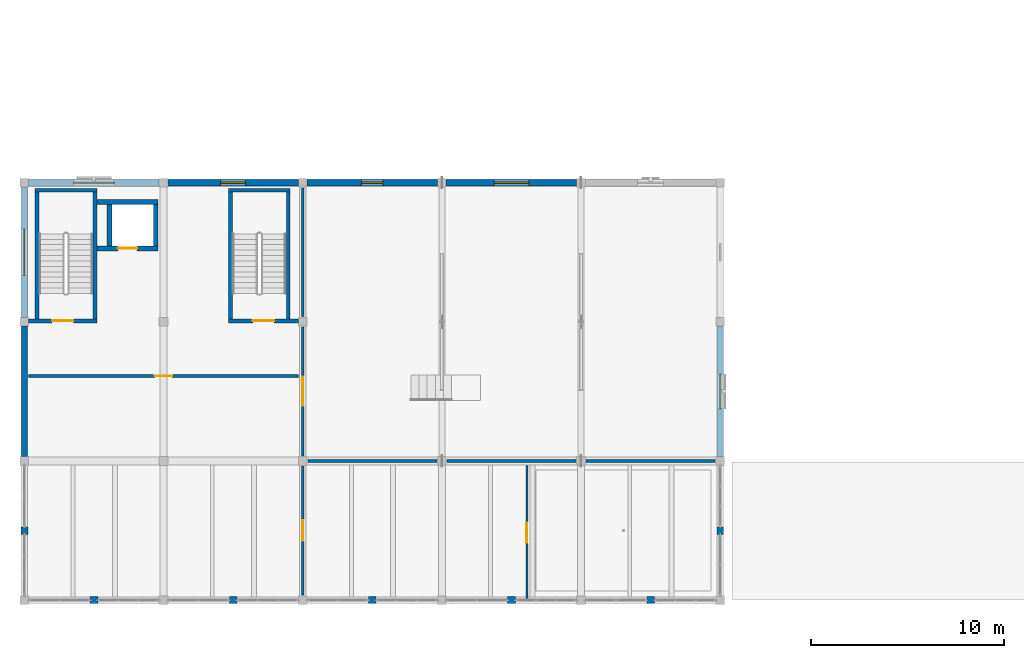
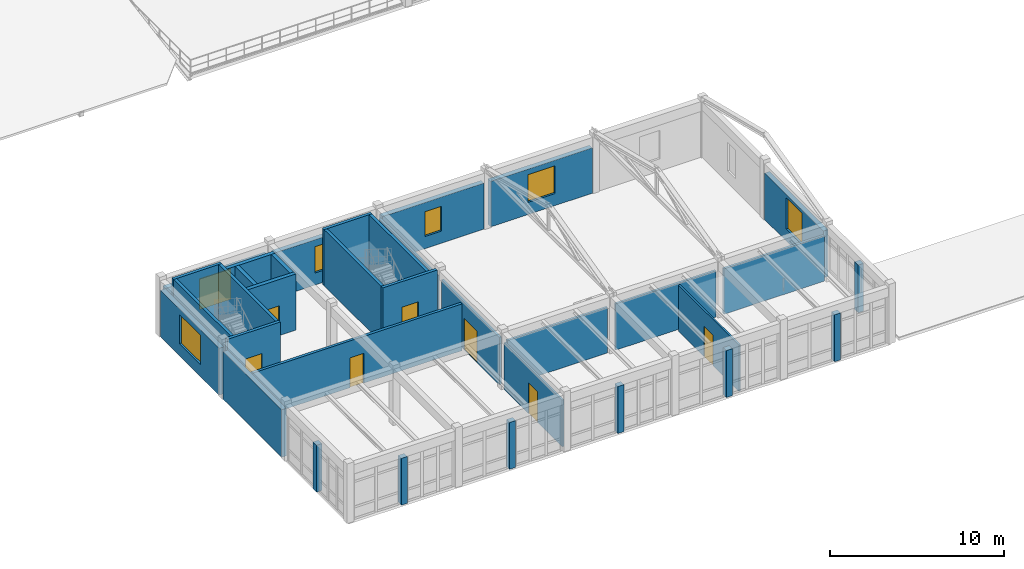
# One storey, part 109 of 136: 34 walls, 7 doors, 6 windows, 13 openings.
"""IFC4 building model written with IfcOpenShell, lengths in metres."""

from ifc_helpers import new_model, si_unit, direction, frame, frame_2d, origin, place, context, subcontext, project, spatial, rectangle, extrude, material, layer, layer_set, type_object, element, fill, save


model = new_model("IFC4")

# Units and contexts
model_context = context("Model", 3, precision=1e-05, world=origin(), true_north=direction((0.0, 1.0)))
body_context = subcontext(model_context, "Body", "Model", "MODEL_VIEW")
ifc_project = project(units=[si_unit("LENGTHUNIT", "METRE"), si_unit("AREAUNIT", "SQUARE_METRE"), si_unit("VOLUMEUNIT", "CUBIC_METRE"), si_unit("PLANEANGLEUNIT", "RADIAN"), si_unit("MASSUNIT", "GRAM", prefix="KILO")], contexts=[model_context])

# Site, building, storey
site_placement = place(None, origin())
site = spatial("IfcSite", under=ifc_project, at=site_placement, CompositionType="ELEMENT")
building_placement = place(site_placement, origin())
building = spatial("IfcBuilding", under=site, at=building_placement, Name="Koriwan Promenade Central Fire Station", CompositionType="ELEMENT")
storey_placement = place(building_placement, frame((0.0, 0.0, 5.39990234375)))
storey = spatial("IfcBuildingStorey", under=building, at=storey_placement, Name="L01", CompositionType="ELEMENT", Elevation=5.39990234375)

# Walls
ifc_material_1 = material(Name="Natural sillar sandstone ashlar", Category="masonry")
ifc_layer_1 = layer(ifc_material_1, 0.360107421875, Name="Natural sillar sandstone ashlar")
ifc_layer_set_1 = layer_set([ifc_layer_1], Name="Natural sillar sandstone ashlar")
wall_type_1 = type_object("IfcWallType", Name="ExtWall_SillarBase_360", PredefinedType="SOLIDWALL", material=ifc_layer_set_1)
wall_1_placement = place(storey_placement, frame((36.0, 3.39990234375, 0.0), z_axis=(0.0, 0.0, 1.0), x_axis=(0.0, 1.0, 0.0)))
element("IfcWall", 1, at=wall_1_placement, inside=storey, type_object=wall_type_1, Name="V3 L01 sillar facade mullion pier 127", PredefinedType="SOLIDWALL", context=body_context, shape_type="SweptSolid", body=[
    extrude(rectangle(XDim=0.400146484375, YDim=0.360107421875, at=frame_2d((0.2001953125, 0.0))), origin(), (0.0, 0.0, 1.0), 3.35009765625),
])
for number, where, z_axis, x_axis, name in (
    (2, (0.0, 3.800048828125, 0.0), (0.0, 0.0, 1.0), (0.0, -1.0, 0.0), "V3 L01 sillar facade mullion pier 137"),
    (3, (3.39990234375, 0.0, 0.0), (0.0, 0.0, 1.0), (1.0, 0.0, 0.0), "V3 L01 sillar facade mullion pier 138"),
):
    element("IfcWall", number, at=place(storey_placement, frame(where, z_axis=z_axis, x_axis=x_axis)), inside=storey, type_object=wall_type_1, Name=name, PredefinedType="SOLIDWALL", context=body_context, shape_type="SweptSolid", body=[
        extrude(rectangle(XDim=0.400146484375, YDim=0.360107421875, at=frame_2d((0.2001953125, 0.0))), origin(), (0.0, 0.0, 1.0), 3.2900390625),
    ])
wall_2_placement = place(storey_placement, frame((10.60009765625, 0.0, 0.0), z_axis=(0.0, 0.0, 1.0), x_axis=(1.0, 0.0, 0.0)))
element("IfcWall", 4, at=wall_2_placement, inside=storey, type_object=wall_type_1, Name="V3 L01 sillar facade mullion pier 139", PredefinedType="SOLIDWALL", context=body_context, shape_type="SweptSolid", body=[
    extrude(rectangle(XDim=0.39990234375, YDim=0.360107421875, at=frame_2d((0.199951171875, 0.0))), origin(), (0.0, 0.0, 1.0), 3.2900390625),
])
for number, where, z_axis, x_axis, name in (
    (5, (17.800048828125, 0.0, 0.0), (0.0, 0.0, 1.0), (1.0, 0.0, 0.0), "V3 L01 sillar facade mullion pier 140"),
    (6, (25.0, 0.0, 0.0), (0.0, 0.0, 1.0), (1.0, 0.0, 0.0), "V3 L01 sillar facade mullion pier 141"),
):
    element("IfcWall", number, at=place(storey_placement, frame(where, z_axis=z_axis, x_axis=x_axis)), inside=storey, type_object=wall_type_1, Name=name, PredefinedType="SOLIDWALL", context=body_context, shape_type="SweptSolid", body=[
        extrude(rectangle(XDim=0.39990234375, YDim=0.360107421875, at=frame_2d((0.199951171875, 0.0))), origin(), (0.0, 0.0, 1.0), 3.300048828125),
    ])
wall_3_placement = place(storey_placement, frame((32.199951171875, 0.0, 0.0), z_axis=(0.0, 0.0, 1.0), x_axis=(1.0, 0.0, 0.0)))
element("IfcWall", 7, at=wall_3_placement, inside=storey, type_object=wall_type_1, Name="V3 L01 sillar facade mullion pier 142", PredefinedType="SOLIDWALL", context=body_context, shape_type="SweptSolid", body=[
    extrude(rectangle(XDim=0.400146484375, YDim=0.360107421875, at=frame_2d((0.2001953125, 0.0))), origin(), (0.0, 0.0, 1.0), 3.300048828125),
])

# Wall, opening, window
ifc_material_2 = material(Name="Precast concrete C40/50", Category="concrete")
ifc_layer_2 = layer(ifc_material_2, 0.320068359375, Name="Precast concrete C40/50")
ifc_layer_set_2 = layer_set([ifc_layer_2], Name="Precast concrete C40/50")
wall_type_2 = type_object("IfcWallType", Name="ExtWall_Terracotta_320", PredefinedType="ELEMENTEDWALL", material=ifc_layer_set_2)
wall_4_placement = place(storey_placement, frame((36.0, 7.425048828125, 0.0), z_axis=(0.0, 0.0, 1.0), x_axis=(0.0, 1.0, 0.0)))
wall_4 = element("IfcWall", 8, at=wall_4_placement, inside=storey, type_object=wall_type_2, Name="V3 L01 exterior wall 128", PredefinedType="ELEMENTEDWALL", context=body_context, shape_type="SweptSolid", body=[
    extrude(rectangle(XDim=6.75, YDim=0.320068359375, at=frame_2d((3.375, 0.0))), origin(), (0.0, 0.0, 1.0), 3.2900390625),
])
opening_1_placement = place(wall_4_placement, frame((2.47509765625, 0.0, 0.85009765625)))
opening_1 = element("IfcOpeningElement", 9, at=opening_1_placement, cuts=wall_4, Name="Opening W-03", PredefinedType="OPENING", context=body_context, shape_type="SweptSolid", body=[
    extrude(rectangle(XDim=1.800048828125, YDim=2.199951171875, at=frame_2d((0.89990234375, 1.10009765625))), frame((0.0, 0.171875, 0.0), z_axis=(0.0, -1.0, 0.0), x_axis=(1.0, 0.0, 0.0)), (0.0, 0.0, 1.0), 0.343994140625),
])
ifc_material_3 = material(Name="Solar-control low-E laminated double glazing", Category="glass")
window_type_1 = type_object("IfcWindowType", Name="Win_Jharokha_1800x2200", PartitioningType="SINGLE_PANEL", PredefinedType="WINDOW", material=ifc_material_3)
window_1_placement = place(opening_1_placement, origin())
window_1 = element("IfcWindow", 10, at=window_1_placement, inside=storey, type_object=window_type_1, Name="V3 L01 window 0052", OverallHeight=2.199951171875, OverallWidth=1.800048828125, PartitioningType="SINGLE_PANEL", PredefinedType="WINDOW", context=body_context, shape_type="SweptSolid", body=[
    extrude(rectangle(XDim=1.800048828125, YDim=2.199951171875, at=frame_2d((0.89990234375, 1.10009765625))), frame((0.0, 0.030029296875, 0.0), z_axis=(0.0, -1.0, 0.0), x_axis=(1.0, 0.0, 0.0)), (0.0, 0.0, 1.0), 0.06005859375),
])
fill(opening_1, window_1)

wall_5_placement = place(storey_placement, frame((28.574951171875, 21.60009765625, 0.0), z_axis=(0.0, 0.0, 1.0), x_axis=(-1.0, 0.0, 0.0)))
wall_5 = element("IfcWall", 11, at=wall_5_placement, inside=storey, type_object=wall_type_2, Name="V3 L01 exterior wall 131", PredefinedType="ELEMENTEDWALL", context=body_context, shape_type="SweptSolid", body=[
    extrude(rectangle(XDim=6.75, YDim=0.320068359375, at=frame_2d((3.375, 0.0))), origin(), (0.0, 0.0, 1.0), 3.190185546875),
])
opening_2_placement = place(wall_5_placement, frame((2.47509765625, 0.0, 0.85009765625)))
opening_2 = element("IfcOpeningElement", 12, at=opening_2_placement, cuts=wall_5, Name="Opening W-06", PredefinedType="OPENING", context=body_context, shape_type="SweptSolid", body=[
    extrude(rectangle(XDim=1.800048828125, YDim=1.949951171875, at=frame_2d((0.89990234375, 0.97509765625))), frame((0.0, 0.171875, 0.0), z_axis=(0.0, -1.0, 0.0), x_axis=(1.0, 0.0, 0.0)), (0.0, 0.0, 1.0), 0.343994140625),
])
window_type_2 = type_object("IfcWindowType", Name="Win_HQ_1800x1950", PartitioningType="SINGLE_PANEL", PredefinedType="WINDOW", material=ifc_material_3)
window_2_placement = place(opening_2_placement, origin())
window_2 = element("IfcWindow", 13, at=window_2_placement, inside=storey, type_object=window_type_2, Name="V3 L01 window 0055", OverallHeight=1.949951171875, OverallWidth=1.800048828125, PartitioningType="SINGLE_PANEL", PredefinedType="WINDOW", context=body_context, shape_type="SweptSolid", body=[
    extrude(rectangle(XDim=1.800048828125, YDim=1.949951171875, at=frame_2d((0.89990234375, 0.97509765625))), frame((0.0, 0.030029296875, 0.0), z_axis=(0.0, -1.0, 0.0), x_axis=(1.0, 0.0, 0.0)), (0.0, 0.0, 1.0), 0.06005859375),
])
fill(opening_2, window_2)

wall_6_placement = place(storey_placement, frame((21.375, 21.60009765625, 0.0), z_axis=(0.0, 0.0, 1.0), x_axis=(-1.0, 0.0, 0.0)))
wall_6 = element("IfcWall", 14, at=wall_6_placement, inside=storey, type_object=wall_type_2, Name="V3 L01 exterior wall 132", PredefinedType="ELEMENTEDWALL", context=body_context, shape_type="SweptSolid", body=[
    extrude(rectangle(XDim=6.75, YDim=0.320068359375, at=frame_2d((3.375, 0.0))), origin(), (0.0, 0.0, 1.0), 3.239990234375),
])
opening_3_placement = place(wall_6_placement, frame((2.824951171875, 0.0, 0.85009765625)))
opening_3 = element("IfcOpeningElement", 15, at=opening_3_placement, cuts=wall_6, Name="Opening W-09", PredefinedType="OPENING", context=body_context, shape_type="SweptSolid", body=[
    extrude(rectangle(XDim=1.10009765625, YDim=1.75, at=frame_2d((0.550048828125, 0.875))), frame((0.0, 0.171875, 0.0), z_axis=(0.0, -1.0, 0.0), x_axis=(1.0, 0.0, 0.0)), (0.0, 0.0, 1.0), 0.343994140625),
])
window_type_3 = type_object("IfcWindowType", Name="Win_Drill_1100x1750", PartitioningType="SINGLE_PANEL", PredefinedType="WINDOW", material=ifc_material_3)
window_3_placement = place(opening_3_placement, origin())
window_3 = element("IfcWindow", 16, at=window_3_placement, inside=storey, type_object=window_type_3, Name="V3 L01 window 0056", OverallHeight=1.75, OverallWidth=1.10009765625, PartitioningType="SINGLE_PANEL", PredefinedType="WINDOW", context=body_context, shape_type="SweptSolid", body=[
    extrude(rectangle(XDim=1.10009765625, YDim=1.75, at=frame_2d((0.550048828125, 0.875))), frame((0.0, 0.030029296875, 0.0), z_axis=(0.0, -1.0, 0.0), x_axis=(1.0, 0.0, 0.0)), (0.0, 0.0, 1.0), 0.06005859375),
])
fill(opening_3, window_3)

wall_7_placement = place(storey_placement, frame((14.175048828125, 21.60009765625, 0.0), z_axis=(0.0, 0.0, 1.0), x_axis=(-1.0, 0.0, 0.0)))
wall_7 = element("IfcWall", 17, at=wall_7_placement, inside=storey, type_object=wall_type_2, Name="V3 L01 exterior wall 133", PredefinedType="ELEMENTEDWALL", context=body_context, shape_type="SweptSolid", body=[
    extrude(rectangle(XDim=6.75, YDim=0.320068359375, at=frame_2d((3.375, 0.0))), origin(), (0.0, 0.0, 1.0), 3.190185546875),
])
opening_4_placement = place(wall_7_placement, frame((2.72509765625, 0.0, 0.85009765625)))
opening_4 = element("IfcOpeningElement", 18, at=opening_4_placement, cuts=wall_7, Name="Opening W-10", PredefinedType="OPENING", context=body_context, shape_type="SweptSolid", body=[
    extrude(rectangle(XDim=1.300048828125, YDim=1.85009765625, at=frame_2d((0.64990234375, 0.925048828125))), frame((0.0, 0.171875, 0.0), z_axis=(0.0, -1.0, 0.0), x_axis=(1.0, 0.0, 0.0)), (0.0, 0.0, 1.0), 0.343994140625),
])
window_type_4 = type_object("IfcWindowType", Name="Win_Drill_1300x1850", PartitioningType="SINGLE_PANEL", PredefinedType="WINDOW", material=ifc_material_3)
window_4_placement = place(opening_4_placement, origin())
window_4 = element("IfcWindow", 19, at=window_4_placement, inside=storey, type_object=window_type_4, Name="V3 L01 window 0057", OverallHeight=1.85009765625, OverallWidth=1.300048828125, PartitioningType="SINGLE_PANEL", PredefinedType="WINDOW", context=body_context, shape_type="SweptSolid", body=[
    extrude(rectangle(XDim=1.300048828125, YDim=1.85009765625, at=frame_2d((0.64990234375, 0.925048828125))), frame((0.0, 0.030029296875, 0.0), z_axis=(0.0, -1.0, 0.0), x_axis=(1.0, 0.0, 0.0)), (0.0, 0.0, 1.0), 0.06005859375),
])
fill(opening_4, window_4)

wall_8_placement = place(storey_placement, frame((6.97509765625, 21.60009765625, 0.0), z_axis=(0.0, 0.0, 1.0), x_axis=(-1.0, 0.0, 0.0)))
wall_8 = element("IfcWall", 20, at=wall_8_placement, inside=storey, type_object=wall_type_2, Name="V3 L01 exterior wall 134", PredefinedType="ELEMENTEDWALL", context=body_context, shape_type="SweptSolid", body=[
    extrude(rectangle(XDim=6.75, YDim=0.320068359375, at=frame_2d((3.375, 0.0))), origin(), (0.0, 0.0, 1.0), 3.239990234375),
])
opening_5_placement = place(wall_8_placement, frame((2.324951171875, 0.0, 0.85009765625)))
opening_5 = element("IfcOpeningElement", 21, at=opening_5_placement, cuts=wall_8, Name="Opening W-11", PredefinedType="OPENING", context=body_context, shape_type="SweptSolid", body=[
    extrude(rectangle(XDim=2.10009765625, YDim=2.14990234375, at=frame_2d((1.050048828125, 1.074951171875))), frame((0.0, 0.171875, 0.0), z_axis=(0.0, -1.0, 0.0), x_axis=(1.0, 0.0, 0.0)), (0.0, 0.0, 1.0), 0.343994140625),
])
window_type_5 = type_object("IfcWindowType", Name="Win_Pavilion_2100x2150", PartitioningType="SINGLE_PANEL", PredefinedType="WINDOW", material=ifc_material_3)
window_5_placement = place(opening_5_placement, origin())
window_5 = element("IfcWindow", 22, at=window_5_placement, inside=storey, type_object=window_type_5, Name="V3 L01 window 0058", OverallHeight=2.14990234375, OverallWidth=2.10009765625, PartitioningType="SINGLE_PANEL", PredefinedType="WINDOW", context=body_context, shape_type="SweptSolid", body=[
    extrude(rectangle(XDim=2.10009765625, YDim=2.14990234375, at=frame_2d((1.050048828125, 1.074951171875))), frame((0.0, 0.030029296875, 0.0), z_axis=(0.0, -1.0, 0.0), x_axis=(1.0, 0.0, 0.0)), (0.0, 0.0, 1.0), 0.06005859375),
])
fill(opening_5, window_5)

wall_9_placement = place(storey_placement, frame((0.0, 21.375, 0.0), z_axis=(0.0, 0.0, 1.0), x_axis=(0.0, -1.0, 0.0)))
wall_9 = element("IfcWall", 23, at=wall_9_placement, inside=storey, type_object=wall_type_2, Name="V3 L01 exterior wall 135", PredefinedType="ELEMENTEDWALL", context=body_context, shape_type="SweptSolid", body=[
    extrude(rectangle(XDim=6.75, YDim=0.320068359375, at=frame_2d((3.375, 0.0))), origin(), (0.0, 0.0, 1.0), 3.2900390625),
])
opening_6_placement = place(wall_9_placement, frame((2.175048828125, 0.0, 0.85009765625)))
opening_6 = element("IfcOpeningElement", 24, at=opening_6_placement, cuts=wall_9, Name="Opening W-12", PredefinedType="OPENING", context=body_context, shape_type="SweptSolid", body=[
    extrude(rectangle(XDim=2.39990234375, YDim=2.050048828125, at=frame_2d((1.199951171875, 1.02490234375))), frame((0.0, 0.171875, 0.0), z_axis=(0.0, -1.0, 0.0), x_axis=(1.0, 0.0, 0.0)), (0.0, 0.0, 1.0), 0.343994140625),
])
window_type_6 = type_object("IfcWindowType", Name="Win_Pavilion_2400x2050", PartitioningType="SINGLE_PANEL", PredefinedType="WINDOW", material=ifc_material_3)
window_6_placement = place(opening_6_placement, origin())
window_6 = element("IfcWindow", 25, at=window_6_placement, inside=storey, type_object=window_type_6, Name="V3 L01 window 0059", OverallHeight=2.050048828125, OverallWidth=2.39990234375, PartitioningType="SINGLE_PANEL", PredefinedType="WINDOW", context=body_context, shape_type="SweptSolid", body=[
    extrude(rectangle(XDim=2.39990234375, YDim=2.050048828125, at=frame_2d((1.199951171875, 1.02490234375))), frame((0.0, 0.030029296875, 0.0), z_axis=(0.0, -1.0, 0.0), x_axis=(1.0, 0.0, 0.0)), (0.0, 0.0, 1.0), 0.06005859375),
])
fill(opening_6, window_6)

# Wall
wall_10_placement = place(storey_placement, frame((0.0, 14.175048828125, 0.0), z_axis=(0.0, 0.0, 1.0), x_axis=(0.0, -1.0, 0.0)))
element("IfcWall", 26, at=wall_10_placement, inside=storey, type_object=wall_type_2, Name="V3 L01 exterior wall 136", PredefinedType="ELEMENTEDWALL", context=body_context, shape_type="SweptSolid", body=[
    extrude(rectangle(XDim=6.75, YDim=0.320068359375, at=frame_2d((3.375, 0.0))), origin(), (0.0, 0.0, 1.0), 3.340087890625),
])

# Wall, opening, door
ifc_material_4 = material(Name="Gypsum board acoustic stud partition", Category="gypsum")
ifc_layer_3 = layer(ifc_material_4, 0.1201171875, Name="Gypsum board acoustic stud partition")
ifc_layer_set_3 = layer_set([ifc_layer_3], Name="Gypsum board acoustic stud partition")
wall_type_3 = type_object("IfcWallType", Name="IntWall_Drywall_120", PredefinedType="PARTITIONING", material=ifc_layer_set_3)
wall_11_placement = place(storey_placement, frame((14.39990234375, 0.264892578125, 0.0), z_axis=(0.0, 0.0, 1.0), x_axis=(0.0, 1.0, 0.0)))
wall_11 = element("IfcWall", 27, at=wall_11_placement, inside=storey, type_object=wall_type_3, Name="Projection and Interpretation Studio partition W", PredefinedType="PARTITIONING", context=body_context, shape_type="SweptSolid", body=[
    extrude(rectangle(XDim=6.670166015625, YDim=0.1201171875, at=frame_2d((3.3349609375, 0.0))), origin(), (0.0, 0.0, 1.0), 3.2880859375),
])
opening_7_placement = place(wall_11_placement, frame((2.81005859375, 0.0, 0.0)))
opening_7 = element("IfcOpeningElement", 28, at=opening_7_placement, cuts=wall_11, Name="Opening D-117", PredefinedType="OPENING", context=body_context, shape_type="SweptSolid", body=[
    extrude(rectangle(XDim=1.050048828125, YDim=2.14990234375, at=frame_2d((0.52490234375, 1.074951171875))), frame((0.0, 0.072021484375, 0.0), z_axis=(0.0, -1.0, 0.0), x_axis=(1.0, 0.0, 0.0)), (0.0, 0.0, 1.0), 0.14404296875),
])
ifc_material_5 = material(Name="Hardwood veneer solid-core timber", Category="wood")
door_type_1 = type_object("IfcDoorType", Name="RoomDoor_Class_1050x2150", OperationType="NOTDEFINED", PredefinedType="DOOR", material=ifc_material_5)
door_1_placement = place(opening_7_placement, origin())
door_1 = element("IfcDoor", 29, at=door_1_placement, inside=storey, type_object=door_type_1, Name="Projection and Interpretation Studio Door D-117", OperationType="SINGLE_SWING_LEFT", OverallHeight=2.14990234375, OverallWidth=1.050048828125, PredefinedType="DOOR", context=body_context, shape_type="SweptSolid", body=[
    extrude(rectangle(XDim=1.050048828125, YDim=2.14990234375, at=frame_2d((0.52490234375, 1.074951171875))), frame((0.0, 0.02490234375, 0.0), z_axis=(0.0, -1.0, 0.0), x_axis=(1.0, 0.0, 0.0)), (0.0, 0.0, 1.0), 0.050048828125),
])
fill(opening_7, door_1)

wall_12_placement = place(storey_placement, frame((26.0, 0.0, 0.0), z_axis=(0.0, 0.0, 1.0), x_axis=(0.0, 1.0, 0.0)))
wall_12 = element("IfcWall", 30, at=wall_12_placement, inside=storey, type_object=wall_type_3, Name="Projection and Interpretation Studio partition E", PredefinedType="PARTITIONING", context=body_context, shape_type="SweptSolid", body=[
    extrude(rectangle(XDim=6.97998046875, YDim=0.1201171875, at=frame_2d((3.489990234375, 0.0))), origin(), (0.0, 0.0, 1.0), 3.248046875),
])
opening_8_placement = place(wall_12_placement, frame((2.965087890625, 0.0, 0.0)))
opening_8 = element("IfcOpeningElement", 31, at=opening_8_placement, cuts=wall_12, Name="Opening D-118", PredefinedType="OPENING", context=body_context, shape_type="SweptSolid", body=[
    extrude(rectangle(XDim=1.050048828125, YDim=2.14990234375, at=frame_2d((0.52490234375, 1.074951171875))), frame((0.0, 0.072021484375, 0.0), z_axis=(0.0, -1.0, 0.0), x_axis=(1.0, 0.0, 0.0)), (0.0, 0.0, 1.0), 0.14404296875),
])
door_2_placement = place(opening_8_placement, origin())
door_2 = element("IfcDoor", 32, at=door_2_placement, inside=storey, type_object=door_type_1, Name="Speaker Briefing and Seminar Room Door D-118", OperationType="SINGLE_SWING_RIGHT", OverallHeight=2.14990234375, OverallWidth=1.050048828125, PredefinedType="DOOR", context=body_context, shape_type="SweptSolid", body=[
    extrude(rectangle(XDim=1.050048828125, YDim=2.14990234375, at=frame_2d((0.52490234375, 1.074951171875))), frame((0.0, 0.02490234375, 0.0), z_axis=(0.0, -1.0, 0.0), x_axis=(1.0, 0.0, 0.0)), (0.0, 0.0, 1.0), 0.050048828125),
])
fill(opening_8, door_2)

ifc_material_6 = material(Name="Clay brick plastered masonry wall", Category="masonry")
ifc_layer_4 = layer(ifc_material_6, 0.14990234375, Name="Clay brick plastered masonry wall")
ifc_layer_set_4 = layer_set([ifc_layer_4], Name="Clay brick plastered masonry wall")
wall_type_4 = type_object("IfcWallType", Name="IntWall_Masonry_150", PredefinedType="STANDARD", material=ifc_layer_set_4)
wall_13_placement = place(storey_placement, frame((14.39990234375, 7.465087890625, 0.0), z_axis=(0.0, 0.0, 1.0), x_axis=(0.0, 1.0, 0.0)))
wall_13 = element("IfcWall", 33, at=wall_13_placement, inside=storey, type_object=wall_type_4, Name="Civic Preparedness Lecture Theatre partition W", PredefinedType="STANDARD", context=body_context, shape_type="SweptSolid", body=[
    extrude(rectangle(XDim=6.669921875, YDim=0.14990234375, at=frame_2d((3.3349609375, 0.0))), origin(), (0.0, 0.0, 1.0), 3.338134765625),
])
opening_9_placement = place(wall_13_placement, frame((2.5849609375, 0.0, 0.0)))
opening_9 = element("IfcOpeningElement", 34, at=opening_9_placement, cuts=wall_13, Name="Opening D-116", PredefinedType="OPENING", context=body_context, shape_type="SweptSolid", body=[
    extrude(rectangle(XDim=1.5, YDim=2.199951171875, at=frame_2d((0.75, 1.10009765625))), frame((0.0, 0.0869140625, 0.0), z_axis=(0.0, -1.0, 0.0), x_axis=(1.0, 0.0, 0.0)), (0.0, 0.0, 1.0), 0.173828125),
])
door_type_2 = type_object("IfcDoorType", Name="RoomDoor_Hall_1500x2200", OperationType="DOUBLE_SWING_LEFT", PredefinedType="DOOR", material=ifc_material_5)
door_3_placement = place(opening_9_placement, origin())
door_3 = element("IfcDoor", 35, at=door_3_placement, inside=storey, type_object=door_type_2, Name="Civic Preparedness Lecture Theatre Door D-116", OperationType="DOUBLE_SWING_LEFT", OverallHeight=2.199951171875, OverallWidth=1.5, PredefinedType="DOOR", context=body_context, shape_type="SweptSolid", body=[
    extrude(rectangle(XDim=1.5, YDim=2.199951171875, at=frame_2d((0.75, 1.10009765625))), frame((0.0, 0.02490234375, 0.0), z_axis=(0.0, -1.0, 0.0), x_axis=(1.0, 0.0, 0.0)), (0.0, 0.0, 1.0), 0.050048828125),
])
fill(opening_9, door_3)

# Walls
wall_14_placement = place(storey_placement, frame((14.39990234375, 14.6650390625, 0.0), z_axis=(0.0, 0.0, 1.0), x_axis=(0.0, 1.0, 0.0)))
element("IfcWall", 36, at=wall_14_placement, inside=storey, type_object=wall_type_4, Name="Civic Preparedness Lecture Theatre partition W", PredefinedType="STANDARD", context=body_context, shape_type="SweptSolid", body=[
    extrude(rectangle(XDim=6.669921875, YDim=0.14990234375, at=frame_2d((3.3349609375, 0.0))), origin(), (0.0, 0.0, 1.0), 3.2880859375),
])
wall_15_placement = place(storey_placement, frame((14.6650390625, 7.199951171875, 0.0), z_axis=(0.0, 0.0, 1.0), x_axis=(1.0, 0.0, 0.0)))
element("IfcWall", 37, at=wall_15_placement, inside=storey, type_object=wall_type_4, Name="Civic Preparedness Lecture Theatre partition S", PredefinedType="STANDARD", context=body_context, shape_type="SweptSolid", body=[
    extrude(rectangle(XDim=6.669921875, YDim=0.14990234375, at=frame_2d((3.3349609375, 0.0))), origin(), (0.0, 0.0, 1.0), 3.197998046875),
])
wall_16_placement = place(storey_placement, frame((21.864990234375, 7.199951171875, 0.0), z_axis=(0.0, 0.0, 1.0), x_axis=(1.0, 0.0, 0.0)))
element("IfcWall", 38, at=wall_16_placement, inside=storey, type_object=wall_type_4, Name="Civic Preparedness Lecture Theatre partition S", PredefinedType="STANDARD", context=body_context, shape_type="SweptSolid", body=[
    extrude(rectangle(XDim=6.669921875, YDim=0.14990234375, at=frame_2d((3.3349609375, 0.0))), origin(), (0.0, 0.0, 1.0), 3.248046875),
])
wall_17_placement = place(storey_placement, frame((29.06494140625, 7.199951171875, 0.0), z_axis=(0.0, 0.0, 1.0), x_axis=(1.0, 0.0, 0.0)))
element("IfcWall", 39, at=wall_17_placement, inside=storey, type_object=wall_type_4, Name="Civic Preparedness Lecture Theatre partition S", PredefinedType="STANDARD", context=body_context, shape_type="SweptSolid", body=[
    extrude(rectangle(XDim=6.670166015625, YDim=0.14990234375, at=frame_2d((3.3349609375, 0.0))), origin(), (0.0, 0.0, 1.0), 3.197998046875),
])

# Wall, opening, door
ifc_material_7 = material(Name="Moisture-resistant sanitary chase wall", Category="gypsum")
ifc_layer_5 = layer(ifc_material_7, 0.179931640625, Name="Moisture-resistant sanitary chase wall")
ifc_layer_set_5 = layer_set([ifc_layer_5], Name="Moisture-resistant sanitary chase wall")
wall_type_5 = type_object("IfcWallType", Name="IntWall_Plumbing_180", PredefinedType="PLUMBINGWALL", material=ifc_layer_set_5)
wall_18_placement = place(storey_placement, frame((0.219970703125, 11.60009765625, 0.0), z_axis=(0.0, 0.0, 1.0), x_axis=(1.0, 0.0, 0.0)))
wall_18 = element("IfcWall", 40, at=wall_18_placement, inside=storey, type_object=wall_type_5, Name="Lecture Concourse Male Female and Accessible WCs partition N", PredefinedType="PLUMBINGWALL", context=body_context, shape_type="SweptSolid", body=[
    extrude(rectangle(XDim=13.9599609375, YDim=0.179931640625, at=frame_2d((6.97998046875, 0.0))), origin(), (0.0, 0.0, 1.0), 3.2880859375),
])
opening_10_placement = place(wall_18_placement, frame((6.530029296875, 0.0, 0.0)))
opening_10 = element("IfcOpeningElement", 41, at=opening_10_placement, cuts=wall_18, Name="Opening D-119", PredefinedType="OPENING", context=body_context, shape_type="SweptSolid", body=[
    extrude(rectangle(XDim=0.89990234375, YDim=2.10009765625, at=frame_2d((0.449951171875, 1.050048828125))), frame((0.0, 0.10205078125, 0.0), z_axis=(0.0, -1.0, 0.0), x_axis=(1.0, 0.0, 0.0)), (0.0, 0.0, 1.0), 0.203857421875),
])
ifc_material_8 = material(Name="High-pressure laminate moisture-resistant core", Category="wood")
door_type_3 = type_object("IfcDoorType", Name="RoomDoor_WC_900x2100", OperationType="NOTDEFINED", PredefinedType="DOOR", material=ifc_material_8)
door_4_placement = place(opening_10_placement, origin())
door_4 = element("IfcDoor", 42, at=door_4_placement, inside=storey, type_object=door_type_3, Name="Lecture Concourse Male Female and Accessible WCs Door D-119", OperationType="SINGLE_SWING_LEFT", OverallHeight=2.10009765625, OverallWidth=0.89990234375, PredefinedType="DOOR", context=body_context, shape_type="SweptSolid", body=[
    extrude(rectangle(XDim=0.89990234375, YDim=2.10009765625, at=frame_2d((0.449951171875, 1.050048828125))), frame((0.0, 0.02490234375, 0.0), z_axis=(0.0, -1.0, 0.0), x_axis=(1.0, 0.0, 0.0)), (0.0, 0.0, 1.0), 0.050048828125),
])
fill(opening_10, door_4)

ifc_material_9 = material(Name="Concrete C40/50", Category="concrete")
ifc_layer_6 = layer(ifc_material_9, 0.199951171875, Name="Concrete C40/50")
ifc_layer_set_6 = layer_set([ifc_layer_6], Name="Concrete C40/50")
wall_type_6 = type_object("IfcWallType", Name="ShearWall_200", PredefinedType="SHEAR", material=ifc_layer_set_6)
wall_19_placement = place(storey_placement, frame((0.22509765625, 14.449951171875, 0.0), z_axis=(0.0, 0.0, 1.0), x_axis=(1.0, 0.0, 0.0)))
wall_19 = element("IfcWall", 43, at=wall_19_placement, inside=storey, type_object=wall_type_6, Name="ST14 L01 structural stair wall S", PredefinedType="SHEAR", context=body_context, shape_type="SweptSolid", body=[
    extrude(rectangle(XDim=3.52490234375, YDim=0.199951171875, at=frame_2d((1.762451171875, 0.0))), origin(), (0.0, 0.0, 1.0), 3.9501953125),
])
opening_11_placement = place(wall_19_placement, frame((1.21240234375, 0.0, 0.0)))
opening_11 = element("IfcOpeningElement", 44, at=opening_11_placement, cuts=wall_19, Name="Opening SD-021", PredefinedType="OPENING", context=body_context, shape_type="SweptSolid", body=[
    extrude(rectangle(XDim=1.10009765625, YDim=2.14990234375, at=frame_2d((0.550048828125, 1.074951171875))), frame((0.0, 0.11181640625, 0.0), z_axis=(0.0, -1.0, 0.0), x_axis=(1.0, 0.0, 0.0)), (0.0, 0.0, 1.0), 0.223876953125),
])
ifc_material_10 = material(Name="Painted galvanized fire-door steel", Category="steel")
door_type_4 = type_object("IfcDoorType", Name="FireDoor_Stair_1100x2150", OperationType="NOTDEFINED", PredefinedType="DOOR", material=ifc_material_10)
door_5_placement = place(opening_11_placement, origin())
door_5 = element("IfcDoor", 45, at=door_5_placement, inside=storey, type_object=door_type_4, Name="Protected Stair ST14 Fire Door SD-021", OperationType="SINGLE_SWING_RIGHT", OverallHeight=2.14990234375, OverallWidth=1.10009765625, PredefinedType="DOOR", context=body_context, shape_type="SweptSolid", body=[
    extrude(rectangle(XDim=1.10009765625, YDim=2.14990234375, at=frame_2d((0.550048828125, 1.074951171875))), frame((0.0, 0.02490234375, 0.0), z_axis=(0.0, -1.0, 0.0), x_axis=(1.0, 0.0, 0.0)), (0.0, 0.0, 1.0), 0.050048828125),
])
fill(opening_11, door_5)

# Walls
wall_20_placement = place(storey_placement, frame((0.56005859375, 21.2099609375, 0.0), z_axis=(0.0, 0.0, 1.0), x_axis=(1.0, 0.0, 0.0)))
element("IfcWall", 46, at=wall_20_placement, inside=storey, type_object=wall_type_6, Name="ST14 L01 structural stair wall N", PredefinedType="SHEAR", context=body_context, shape_type="SweptSolid", body=[
    extrude(rectangle(XDim=3.18994140625, YDim=0.199951171875, at=frame_2d((1.594970703125, 0.0))), origin(), (0.0, 0.0, 1.0), 3.9501953125),
])
for number, where, z_axis, x_axis, name in (
    (47, (0.659912109375, 14.550048828125, 0.0), (0.0, 0.0, 1.0), (0.0, 1.0, 0.0), "ST14 L01 structural stair wall W"),
    (48, (3.64990234375, 14.550048828125, 0.0), (0.0, 0.0, 1.0), (0.0, 1.0, 0.0), "ST14 L01 structural stair wall E"),
):
    element("IfcWall", number, at=place(storey_placement, frame(where, z_axis=z_axis, x_axis=x_axis)), inside=storey, type_object=wall_type_6, Name=name, PredefinedType="SHEAR", context=body_context, shape_type="SweptSolid", body=[
        extrude(rectangle(XDim=6.56005859375, YDim=0.199951171875, at=frame_2d((3.280029296875, 0.0))), origin(), (0.0, 0.0, 1.0), 3.9501953125),
    ])

# Wall, opening, door
wall_21_placement = place(storey_placement, frame((10.56005859375, 14.449951171875, 0.0), z_axis=(0.0, 0.0, 1.0), x_axis=(1.0, 0.0, 0.0)))
wall_21 = element("IfcWall", 49, at=wall_21_placement, inside=storey, type_object=wall_type_6, Name="ST16 L01 structural stair wall S", PredefinedType="SHEAR", context=body_context, shape_type="SweptSolid", body=[
    extrude(rectangle(XDim=3.614990234375, YDim=0.199951171875, at=frame_2d((1.8076171875, 0.0))), origin(), (0.0, 0.0, 1.0), 3.9501953125),
])
opening_12_placement = place(wall_21_placement, frame((1.257568359375, 0.0, 0.0)))
opening_12 = element("IfcOpeningElement", 50, at=opening_12_placement, cuts=wall_21, Name="Opening SD-024", PredefinedType="OPENING", context=body_context, shape_type="SweptSolid", body=[
    extrude(rectangle(XDim=1.10009765625, YDim=2.14990234375, at=frame_2d((0.550048828125, 1.074951171875))), frame((0.0, 0.11181640625, 0.0), z_axis=(0.0, -1.0, 0.0), x_axis=(1.0, 0.0, 0.0)), (0.0, 0.0, 1.0), 0.223876953125),
])
door_6_placement = place(opening_12_placement, origin())
door_6 = element("IfcDoor", 51, at=door_6_placement, inside=storey, type_object=door_type_4, Name="Protected Stair ST16 Fire Door SD-024", OperationType="SINGLE_SWING_LEFT", OverallHeight=2.14990234375, OverallWidth=1.10009765625, PredefinedType="DOOR", context=body_context, shape_type="SweptSolid", body=[
    extrude(rectangle(XDim=1.10009765625, YDim=2.14990234375, at=frame_2d((0.550048828125, 1.074951171875))), frame((0.0, 0.02490234375, 0.0), z_axis=(0.0, -1.0, 0.0), x_axis=(1.0, 0.0, 0.0)), (0.0, 0.0, 1.0), 0.050048828125),
])
fill(opening_12, door_6)

# Walls
wall_22_placement = place(storey_placement, frame((10.56005859375, 21.2099609375, 0.0), z_axis=(0.0, 0.0, 1.0), x_axis=(1.0, 0.0, 0.0)))
element("IfcWall", 52, at=wall_22_placement, inside=storey, type_object=wall_type_6, Name="ST16 L01 structural stair wall N", PredefinedType="SHEAR", context=body_context, shape_type="SweptSolid", body=[
    extrude(rectangle(XDim=3.18994140625, YDim=0.199951171875, at=frame_2d((1.594970703125, 0.0))), origin(), (0.0, 0.0, 1.0), 3.9501953125),
])
for number, where, z_axis, x_axis, name in (
    (53, (10.659912109375, 14.550048828125, 0.0), (0.0, 0.0, 1.0), (0.0, 1.0, 0.0), "ST16 L01 structural stair wall W"),
    (54, (13.64990234375, 14.550048828125, 0.0), (0.0, 0.0, 1.0), (0.0, 1.0, 0.0), "ST16 L01 structural stair wall E"),
):
    element("IfcWall", number, at=place(storey_placement, frame(where, z_axis=z_axis, x_axis=x_axis)), inside=storey, type_object=wall_type_6, Name=name, PredefinedType="SHEAR", context=body_context, shape_type="SweptSolid", body=[
        extrude(rectangle(XDim=6.56005859375, YDim=0.199951171875, at=frame_2d((3.280029296875, 0.0))), origin(), (0.0, 0.0, 1.0), 3.9501953125),
    ])

# Wall, opening, door
ifc_layer_7 = layer(ifc_material_9, 0.25, Name="Concrete C40/50")
ifc_layer_set_7 = layer_set([ifc_layer_7], Name="Concrete C40/50")
wall_type_7 = type_object("IfcWallType", Name="ShearWall_250", PredefinedType="SHEAR", material=ifc_layer_set_7)
wall_23_placement = place(storey_placement, frame((3.75, 18.199951171875, 0.0), z_axis=(0.0, 0.0, 1.0), x_axis=(1.0, 0.0, 0.0)))
wall_23 = element("IfcWall", 55, at=wall_23_placement, inside=storey, type_object=wall_type_7, Name="LP03 shaft wall S (L01)", PredefinedType="SHEAR", context=body_context, shape_type="SweptSolid", body=[
    extrude(rectangle(XDim=3.175048828125, YDim=0.25, at=frame_2d((1.58740234375, 0.0))), origin(), (0.0, 0.0, 1.0), 3.9501953125),
])
opening_13_placement = place(wall_23_placement, frame((1.08740234375, 0.0, 0.0)))
opening_13 = element("IfcOpeningElement", 56, at=opening_13_placement, cuts=wall_23, Name="Opening LD-LP03-L01", PredefinedType="OPENING", context=body_context, shape_type="SweptSolid", body=[
    extrude(rectangle(XDim=1.0, YDim=2.10009765625, at=frame_2d((0.5, 1.050048828125))), frame((0.0, 0.136962890625, 0.0), z_axis=(0.0, -1.0, 0.0), x_axis=(1.0, 0.0, 0.0)), (0.0, 0.0, 1.0), 0.27392578125),
])
ifc_material_11 = material(Name="Stainless steel 316", Category="steel")
door_type_5 = type_object("IfcDoorType", Name="LiftDoor_Pass_1000x2100", OperationType="SLIDING_TO_RIGHT", PredefinedType="DOOR", material=ifc_material_11)
door_7_placement = place(opening_13_placement, origin())
door_7 = element("IfcDoor", 57, at=door_7_placement, inside=storey, type_object=door_type_5, Name="Lift LP03 Sliding Landing Door LD-LP03-L01", OperationType="SLIDING_TO_RIGHT", OverallHeight=2.10009765625, OverallWidth=1.0, PredefinedType="DOOR", context=body_context, shape_type="SweptSolid", body=[
    extrude(rectangle(XDim=1.0, YDim=2.10009765625, at=frame_2d((0.5, 1.050048828125))), frame((0.0, 0.02490234375, 0.0), z_axis=(0.0, -1.0, 0.0), x_axis=(1.0, 0.0, 0.0)), (0.0, 0.0, 1.0), 0.050048828125),
])
fill(opening_13, door_7)

# Walls
wall_24_placement = place(storey_placement, frame((3.75, 20.60009765625, 0.0), z_axis=(0.0, 0.0, 1.0), x_axis=(1.0, 0.0, 0.0)))
element("IfcWall", 58, at=wall_24_placement, inside=storey, type_object=wall_type_7, Name="LP03 shaft wall N (L01)", PredefinedType="SHEAR", context=body_context, shape_type="SweptSolid", body=[
    extrude(rectangle(XDim=3.175048828125, YDim=0.25, at=frame_2d((1.58740234375, 0.0))), origin(), (0.0, 0.0, 1.0), 3.9501953125),
])
for number, where, z_axis, x_axis, name in (
    (59, (4.39990234375, 18.324951171875, 0.0), (0.0, 0.0, 1.0), (0.0, 1.0, 0.0), "LP03 shaft wall W (L01)"),
    (60, (6.800048828125, 18.324951171875, 0.0), (0.0, 0.0, 1.0), (0.0, 1.0, 0.0), "LP03 shaft wall E (L01)"),
):
    element("IfcWall", number, at=place(storey_placement, frame(where, z_axis=z_axis, x_axis=x_axis)), inside=storey, type_object=wall_type_7, Name=name, PredefinedType="SHEAR", context=body_context, shape_type="SweptSolid", body=[
        extrude(rectangle(XDim=2.150146484375, YDim=0.25, at=frame_2d((1.0751953125, 0.0))), origin(), (0.0, 0.0, 1.0), 3.9501953125),
    ])

save(model, "model.ifc")
